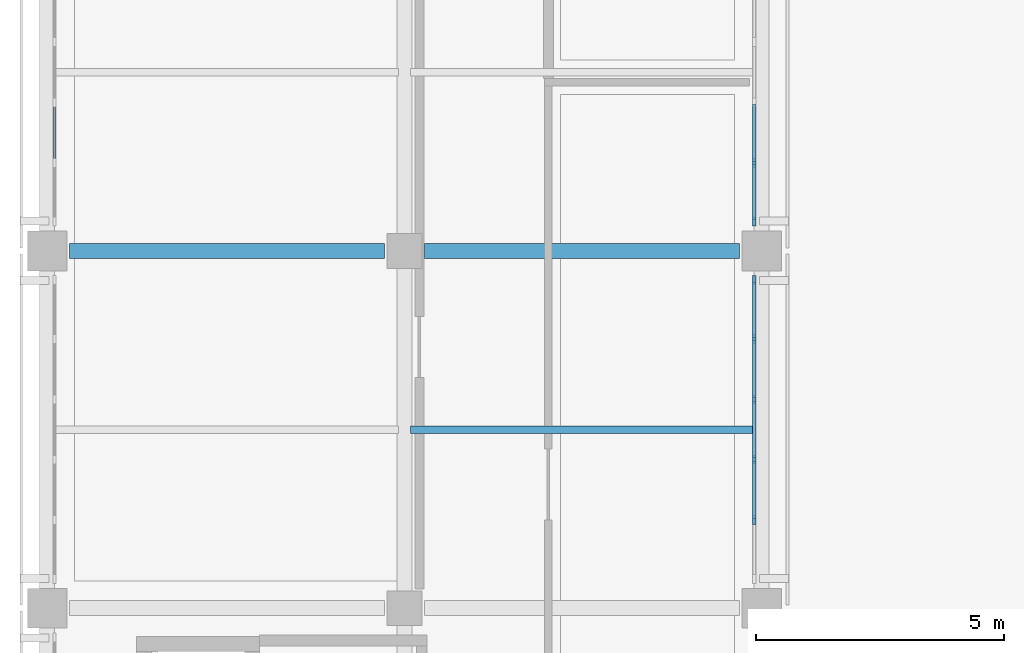
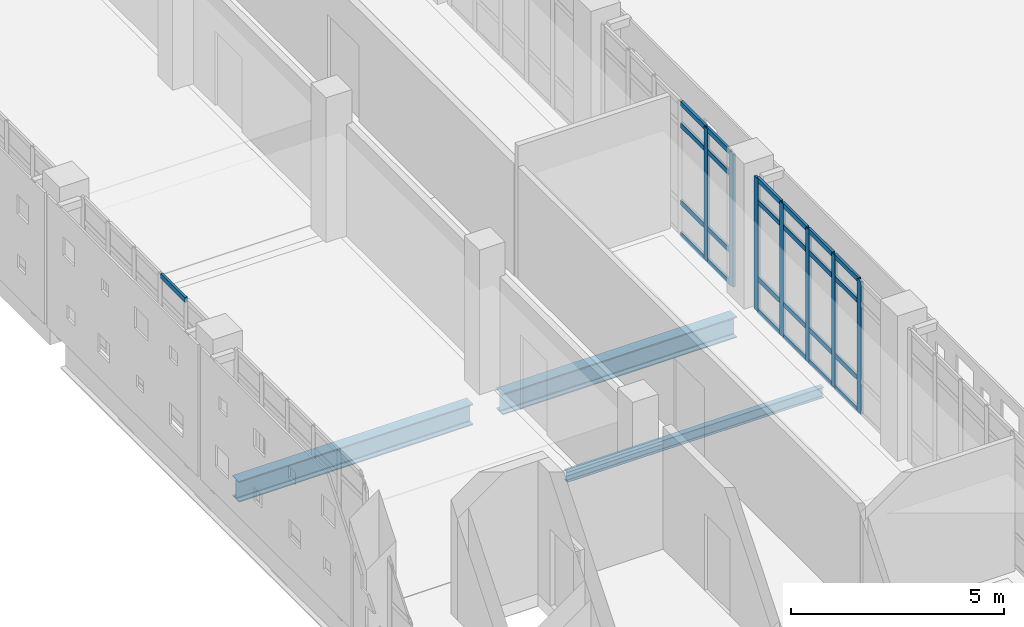
# One storey, part 5 of 51: 32 members, 3 beams, 3 elements without a shape of their own.
"""IFC4 building model written with IfcOpenShell, lengths in metres."""

from ifc_helpers import new_model, si_unit, direction, frame, origin, origin_2d, place, context, subcontext, project, spatial, rectangle, i_section, extrude, material, layer, layer_set, material_profile, profile_set, type_object, element, aggregate, save


model = new_model("IFC4")

# Units and contexts
model_context = context("Model", 3, precision=1e-05, world=origin(), true_north=direction((0.0, 1.0)))
body_context = subcontext(model_context, "Body", "Model", "MODEL_VIEW")
ifc_project = project(units=[si_unit("LENGTHUNIT", "METRE"), si_unit("AREAUNIT", "SQUARE_METRE"), si_unit("VOLUMEUNIT", "CUBIC_METRE"), si_unit("PLANEANGLEUNIT", "RADIAN"), si_unit("MASSUNIT", "GRAM", prefix="KILO")], contexts=[model_context])

# Site, building, storey
site_placement = place(None, origin())
site = spatial("IfcSite", under=ifc_project, at=site_placement, CompositionType="ELEMENT")
building_placement = place(site_placement, origin())
building = spatial("IfcBuilding", under=site, at=building_placement, Name="Valkovuoma Quantum and Materials Research Institute", CompositionType="ELEMENT")
storey_placement = place(building_placement, frame((0.0, 0.0, 17.280029296875)))
storey = spatial("IfcBuildingStorey", under=building, at=storey_placement, Name="L04", CompositionType="ELEMENT", Elevation=17.280029296875)

# Beams
ifc_material_1 = material(Name="Steel S355J2", Category="steel")
ifc_material_profile_1 = material_profile(ifc_material_1, i_section(OverallWidth=0.300048828125, OverallDepth=0.60009765625, WebThickness=0.015380859375, FlangeThickness=0.030029296875, FilletRadius=0.027099609375, at=origin_2d()), Name="Steel S355J2")
ifc_profile_set_1 = profile_set([ifc_material_profile_1], Name="Steel S355J2")
beam_type_1 = type_object("IfcBeamType", Name="Beam-B-HEB600", PredefinedType="BEAM", material=ifc_profile_set_1)
beam_1_placement = place(storey_placement, frame((0.449951171875, 50.39990234375, -0.650146484375), z_axis=(1.0, 0.0, 0.0), x_axis=(0.0, 1.0, 0.0)))
element("IfcBeam", 1, at=beam_1_placement, inside=storey, type_object=beam_type_1, Name="L04 beam X-1828", PredefinedType="BEAM", context=body_context, shape_type="SweptSolid", body=[
    extrude(i_section(OverallWidth=0.300048828125, OverallDepth=0.60009765625, WebThickness=0.015380859375, FlangeThickness=0.030029296875, FilletRadius=0.027099609375, at=origin_2d()), origin(), (0.0, 0.0, 1.0), 6.35009765625),
])
beam_2_placement = place(storey_placement, frame((7.60009765625, 50.39990234375, -0.650146484375), z_axis=(1.0, 0.0, 0.0), x_axis=(0.0, 1.0, 0.0)))
element("IfcBeam", 2, at=beam_2_placement, inside=storey, type_object=beam_type_1, Name="L04 beam X-1829", PredefinedType="BEAM", context=body_context, shape_type="SweptSolid", body=[
    extrude(i_section(OverallWidth=0.300048828125, OverallDepth=0.60009765625, WebThickness=0.015380859375, FlangeThickness=0.030029296875, FilletRadius=0.027099609375, at=origin_2d()), origin(), (0.0, 0.0, 1.0), 6.349853515625),
])
ifc_material_2 = material(Name="Steel S355J2", Category="steel")
ifc_material_profile_2 = material_profile(ifc_material_2, i_section(OverallWidth=0.14990234375, OverallDepth=0.300048828125, WebThickness=0.007080078125, FlangeThickness=0.0107421875, FilletRadius=0.014892578125, at=origin_2d()), Name="Steel S355J2")
ifc_profile_set_2 = profile_set([ifc_material_profile_2], Name="Steel S355J2")
beam_type_2 = type_object("IfcBeamType", Name="Beam-B-JST300", PredefinedType="JOIST", material=ifc_profile_set_2)
beam_3_placement = place(storey_placement, frame((7.320068359375, 46.800048828125, -0.5), z_axis=(1.0, 0.0, 0.0), x_axis=(0.0, 1.0, 0.0)))
element("IfcBeam", 3, at=beam_3_placement, inside=storey, type_object=beam_type_2, Name="L04 floor joist 2027", PredefinedType="JOIST", context=body_context, shape_type="SweptSolid", body=[
    extrude(i_section(OverallWidth=0.14990234375, OverallDepth=0.300048828125, WebThickness=0.007080078125, FlangeThickness=0.0107421875, FilletRadius=0.014892578125, at=origin_2d()), origin(), (0.0, 0.0, 1.0), 6.9599609375),
])

# Curtain wall, members
ifc_material_3 = material(Name="Thermally broken aluminium and triple low-E glazing", Category="aluminium")
ifc_layer = layer(ifc_material_3, 0.219970703125)
ifc_layer_set = layer_set([ifc_layer], Name="Thermally broken aluminium and triple low-E glazing")
curtain_wall_type = type_object("IfcCurtainWallType", Name="CW-CW-01", PredefinedType="NOTDEFINED", material=ifc_layer_set)
curtain_wall_1_placement = place(storey_placement, origin())
curtain_wall_1 = element("IfcCurtainWall", 4, at=curtain_wall_1_placement, inside=storey, type_object=curtain_wall_type, Name="L04 curtain wall 044", PredefinedType="NOTDEFINED")
ifc_material_4 = material(Name="Anodised aluminium 6060-T66", Category="aluminium")
ifc_material_profile_3 = material_profile(ifc_material_4, rectangle(XDim=0.06494140625, YDim=0.179931640625, at=origin_2d()), Name="Anodised aluminium 6060-T66")
ifc_profile_set_3 = profile_set([ifc_material_profile_3], Name="Anodised aluminium 6060-T66")
member_type_1 = type_object("IfcMemberType", Name="CWMull-CWM-01", PredefinedType="MULLION", material=ifc_profile_set_3)
member_1_placement = place(storey_placement, frame((14.25, 44.974365234375, 0.0), z_axis=(0.0, 0.0, 1.0), x_axis=(-1.0, 0.0, 0.0)))
member_1 = element("IfcMember", 5, at=member_1_placement, type_object=member_type_1, Name="CW-01 mullion 2", PredefinedType="MULLION", context=body_context, shape_type="SweptSolid", body=[
    extrude(rectangle(XDim=0.06494140625, YDim=0.179931640625, at=origin_2d()), origin(), (0.0, 0.0, 1.0), 3.81005859375),
])
member_2_placement = place(storey_placement, frame((14.25, 46.19140625, 0.0), z_axis=(0.0, 0.0, 1.0), x_axis=(-1.0, 0.0, 0.0)))
member_2 = element("IfcMember", 6, at=member_2_placement, type_object=member_type_1, Name="CW-01 mullion 3", PredefinedType="MULLION", context=body_context, shape_type="SweptSolid", body=[
    extrude(rectangle(XDim=0.06494140625, YDim=0.179931640625, at=origin_2d()), origin(), (0.0, 0.0, 1.0), 3.81005859375),
])
member_3_placement = place(storey_placement, frame((14.25, 47.40869140625, 0.0), z_axis=(0.0, 0.0, 1.0), x_axis=(-1.0, 0.0, 0.0)))
member_3 = element("IfcMember", 7, at=member_3_placement, type_object=member_type_1, Name="CW-01 mullion 4", PredefinedType="MULLION", context=body_context, shape_type="SweptSolid", body=[
    extrude(rectangle(XDim=0.06494140625, YDim=0.179931640625, at=origin_2d()), origin(), (0.0, 0.0, 1.0), 3.81005859375),
])
member_4_placement = place(storey_placement, frame((14.25, 48.625732421875, 0.0), z_axis=(0.0, 0.0, 1.0), x_axis=(-1.0, 0.0, 0.0)))
member_4 = element("IfcMember", 8, at=member_4_placement, type_object=member_type_1, Name="CW-01 mullion 5", PredefinedType="MULLION", context=body_context, shape_type="SweptSolid", body=[
    extrude(rectangle(XDim=0.06494140625, YDim=0.179931640625, at=origin_2d()), origin(), (0.0, 0.0, 1.0), 3.81005859375),
])
member_5_placement = place(storey_placement, frame((14.25, 49.810302734375, 0.0), z_axis=(0.0, 0.0, 1.0), x_axis=(-1.0, 0.0, 0.0)))
member_5 = element("IfcMember", 9, at=member_5_placement, type_object=member_type_1, Name="CW-01 mullion 6", PredefinedType="MULLION", context=body_context, shape_type="SweptSolid", body=[
    extrude(rectangle(XDim=0.06494140625, YDim=0.179931640625, at=origin_2d()), origin(), (0.0, 0.0, 1.0), 3.81005859375),
])

curtain_wall_2_placement = place(storey_placement, origin())
curtain_wall_2 = element("IfcCurtainWall", 10, at=curtain_wall_2_placement, inside=storey, type_object=curtain_wall_type, Name="L04 curtain wall 046", PredefinedType="NOTDEFINED")
member_6_placement = place(storey_placement, frame((14.25, 50.989501953125, 0.0), z_axis=(0.0, 0.0, 1.0), x_axis=(-1.0, 0.0, 0.0)))
member_6 = element("IfcMember", 11, at=member_6_placement, type_object=member_type_1, Name="CW-01 mullion 1", PredefinedType="MULLION", context=body_context, shape_type="SweptSolid", body=[
    extrude(rectangle(XDim=0.06494140625, YDim=0.179931640625, at=origin_2d()), origin(), (0.0, 0.0, 1.0), 3.81005859375),
])
member_7_placement = place(storey_placement, frame((14.25, 52.17431640625, 0.0), z_axis=(0.0, 0.0, 1.0), x_axis=(-1.0, 0.0, 0.0)))
member_7 = element("IfcMember", 12, at=member_7_placement, type_object=member_type_1, Name="CW-01 mullion 2", PredefinedType="MULLION", context=body_context, shape_type="SweptSolid", body=[
    extrude(rectangle(XDim=0.06494140625, YDim=0.179931640625, at=origin_2d()), origin(), (0.0, 0.0, 1.0), 3.81005859375),
])

# Member
ifc_material_5 = material(Name="Anodised aluminium 6060-T66", Category="aluminium")
ifc_material_profile_4 = material_profile(ifc_material_5, rectangle(XDim=0.06494140625, YDim=0.139892578125, at=origin_2d()), Name="Anodised aluminium 6060-T66")
ifc_profile_set_4 = profile_set([ifc_material_profile_4], Name="Anodised aluminium 6060-T66")
member_type_2 = type_object("IfcMemberType", Name="CWTran-CWT-01", PredefinedType="USERDEFINED", material=ifc_profile_set_4)
member_8_placement = place(storey_placement, frame((14.25, 45.0068359375, 0.032470703125), z_axis=(0.0, 1.0, 0.0), x_axis=(-1.0, 0.0, 0.0)))
member_8 = element("IfcMember", 13, at=member_8_placement, type_object=member_type_2, Name="CW-01 transom 2.1", ObjectType="TRANSOM", PredefinedType="USERDEFINED", context=body_context, shape_type="SweptSolid", body=[
    extrude(rectangle(XDim=0.06494140625, YDim=0.139892578125, at=origin_2d()), origin(), (0.0, 0.0, 1.0), 1.152099609375),
])

member_9_placement = place(storey_placement, frame((14.25, 45.0068359375, 0.949951171875), z_axis=(0.0, 1.0, 0.0), x_axis=(-1.0, 0.0, 0.0)))
member_9 = element("IfcMember", 14, at=member_9_placement, type_object=member_type_2, Name="CW-01 transom 2.2", ObjectType="TRANSOM", PredefinedType="USERDEFINED", context=body_context, shape_type="SweptSolid", body=[
    extrude(rectangle(XDim=0.06494140625, YDim=0.139892578125, at=origin_2d()), origin(), (0.0, 0.0, 1.0), 1.152099609375),
])

member_10_placement = place(storey_placement, frame((14.25, 45.0068359375, 3.159912109375), z_axis=(0.0, 1.0, 0.0), x_axis=(-1.0, 0.0, 0.0)))
member_10 = element("IfcMember", 15, at=member_10_placement, type_object=member_type_2, Name="CW-01 transom 2.3", ObjectType="TRANSOM", PredefinedType="USERDEFINED", context=body_context, shape_type="SweptSolid", body=[
    extrude(rectangle(XDim=0.06494140625, YDim=0.139892578125, at=origin_2d()), origin(), (0.0, 0.0, 1.0), 1.152099609375),
])

member_11_placement = place(storey_placement, frame((14.25, 45.0068359375, 3.777587890625), z_axis=(0.0, 1.0, 0.0), x_axis=(-1.0, 0.0, 0.0)))
member_11 = element("IfcMember", 16, at=member_11_placement, type_object=member_type_2, Name="CW-01 transom 2.4", ObjectType="TRANSOM", PredefinedType="USERDEFINED", context=body_context, shape_type="SweptSolid", body=[
    extrude(rectangle(XDim=0.06494140625, YDim=0.139892578125, at=origin_2d()), origin(), (0.0, 0.0, 1.0), 1.152099609375),
])

member_12_placement = place(storey_placement, frame((14.25, 46.223876953125, 0.032470703125), z_axis=(0.0, 1.0, 0.0), x_axis=(-1.0, 0.0, 0.0)))
member_12 = element("IfcMember", 17, at=member_12_placement, type_object=member_type_2, Name="CW-01 transom 3.1", ObjectType="TRANSOM", PredefinedType="USERDEFINED", context=body_context, shape_type="SweptSolid", body=[
    extrude(rectangle(XDim=0.06494140625, YDim=0.139892578125, at=origin_2d()), origin(), (0.0, 0.0, 1.0), 1.152099609375),
])

member_13_placement = place(storey_placement, frame((14.25, 46.223876953125, 0.949951171875), z_axis=(0.0, 1.0, 0.0), x_axis=(-1.0, 0.0, 0.0)))
member_13 = element("IfcMember", 18, at=member_13_placement, type_object=member_type_2, Name="CW-01 transom 3.2", ObjectType="TRANSOM", PredefinedType="USERDEFINED", context=body_context, shape_type="SweptSolid", body=[
    extrude(rectangle(XDim=0.06494140625, YDim=0.139892578125, at=origin_2d()), origin(), (0.0, 0.0, 1.0), 1.152099609375),
])

member_14_placement = place(storey_placement, frame((14.25, 46.223876953125, 3.159912109375), z_axis=(0.0, 1.0, 0.0), x_axis=(-1.0, 0.0, 0.0)))
member_14 = element("IfcMember", 19, at=member_14_placement, type_object=member_type_2, Name="CW-01 transom 3.3", ObjectType="TRANSOM", PredefinedType="USERDEFINED", context=body_context, shape_type="SweptSolid", body=[
    extrude(rectangle(XDim=0.06494140625, YDim=0.139892578125, at=origin_2d()), origin(), (0.0, 0.0, 1.0), 1.152099609375),
])

member_15_placement = place(storey_placement, frame((14.25, 46.223876953125, 3.777587890625), z_axis=(0.0, 1.0, 0.0), x_axis=(-1.0, 0.0, 0.0)))
member_15 = element("IfcMember", 20, at=member_15_placement, type_object=member_type_2, Name="CW-01 transom 3.4", ObjectType="TRANSOM", PredefinedType="USERDEFINED", context=body_context, shape_type="SweptSolid", body=[
    extrude(rectangle(XDim=0.06494140625, YDim=0.139892578125, at=origin_2d()), origin(), (0.0, 0.0, 1.0), 1.152099609375),
])

member_16_placement = place(storey_placement, frame((14.25, 47.441162109375, 0.032470703125), z_axis=(0.0, 1.0, 0.0), x_axis=(-1.0, 0.0, 0.0)))
member_16 = element("IfcMember", 21, at=member_16_placement, type_object=member_type_2, Name="CW-01 transom 4.1", ObjectType="TRANSOM", PredefinedType="USERDEFINED", context=body_context, shape_type="SweptSolid", body=[
    extrude(rectangle(XDim=0.06494140625, YDim=0.139892578125, at=origin_2d()), origin(), (0.0, 0.0, 1.0), 1.152099609375),
])

member_17_placement = place(storey_placement, frame((14.25, 47.441162109375, 0.949951171875), z_axis=(0.0, 1.0, 0.0), x_axis=(-1.0, 0.0, 0.0)))
member_17 = element("IfcMember", 22, at=member_17_placement, type_object=member_type_2, Name="CW-01 transom 4.2", ObjectType="TRANSOM", PredefinedType="USERDEFINED", context=body_context, shape_type="SweptSolid", body=[
    extrude(rectangle(XDim=0.06494140625, YDim=0.139892578125, at=origin_2d()), origin(), (0.0, 0.0, 1.0), 1.152099609375),
])

member_18_placement = place(storey_placement, frame((14.25, 47.441162109375, 3.159912109375), z_axis=(0.0, 1.0, 0.0), x_axis=(-1.0, 0.0, 0.0)))
member_18 = element("IfcMember", 23, at=member_18_placement, type_object=member_type_2, Name="CW-01 transom 4.3", ObjectType="TRANSOM", PredefinedType="USERDEFINED", context=body_context, shape_type="SweptSolid", body=[
    extrude(rectangle(XDim=0.06494140625, YDim=0.139892578125, at=origin_2d()), origin(), (0.0, 0.0, 1.0), 1.152099609375),
])

member_19_placement = place(storey_placement, frame((14.25, 47.441162109375, 3.777587890625), z_axis=(0.0, 1.0, 0.0), x_axis=(-1.0, 0.0, 0.0)))
member_19 = element("IfcMember", 24, at=member_19_placement, type_object=member_type_2, Name="CW-01 transom 4.4", ObjectType="TRANSOM", PredefinedType="USERDEFINED", context=body_context, shape_type="SweptSolid", body=[
    extrude(rectangle(XDim=0.06494140625, YDim=0.139892578125, at=origin_2d()), origin(), (0.0, 0.0, 1.0), 1.152099609375),
])

member_20_placement = place(storey_placement, frame((14.25, 48.658203125, 0.032470703125), z_axis=(0.0, 1.0, 0.0), x_axis=(-1.0, 0.0, 0.0)))
member_20 = element("IfcMember", 25, at=member_20_placement, type_object=member_type_2, Name="CW-01 transom 5.1", ObjectType="TRANSOM", PredefinedType="USERDEFINED", context=body_context, shape_type="SweptSolid", body=[
    extrude(rectangle(XDim=0.06494140625, YDim=0.139892578125, at=origin_2d()), origin(), (0.0, 0.0, 1.0), 1.11962890625),
])

member_21_placement = place(storey_placement, frame((14.25, 48.658203125, 0.949951171875), z_axis=(0.0, 1.0, 0.0), x_axis=(-1.0, 0.0, 0.0)))
member_21 = element("IfcMember", 26, at=member_21_placement, type_object=member_type_2, Name="CW-01 transom 5.2", ObjectType="TRANSOM", PredefinedType="USERDEFINED", context=body_context, shape_type="SweptSolid", body=[
    extrude(rectangle(XDim=0.06494140625, YDim=0.139892578125, at=origin_2d()), origin(), (0.0, 0.0, 1.0), 1.11962890625),
])

member_22_placement = place(storey_placement, frame((14.25, 48.658203125, 3.159912109375), z_axis=(0.0, 1.0, 0.0), x_axis=(-1.0, 0.0, 0.0)))
member_22 = element("IfcMember", 27, at=member_22_placement, type_object=member_type_2, Name="CW-01 transom 5.3", ObjectType="TRANSOM", PredefinedType="USERDEFINED", context=body_context, shape_type="SweptSolid", body=[
    extrude(rectangle(XDim=0.06494140625, YDim=0.139892578125, at=origin_2d()), origin(), (0.0, 0.0, 1.0), 1.11962890625),
])

member_23_placement = place(storey_placement, frame((14.25, 48.658203125, 3.777587890625), z_axis=(0.0, 1.0, 0.0), x_axis=(-1.0, 0.0, 0.0)))
member_23 = element("IfcMember", 28, at=member_23_placement, type_object=member_type_2, Name="CW-01 transom 5.4", ObjectType="TRANSOM", PredefinedType="USERDEFINED", context=body_context, shape_type="SweptSolid", body=[
    extrude(rectangle(XDim=0.06494140625, YDim=0.139892578125, at=origin_2d()), origin(), (0.0, 0.0, 1.0), 1.11962890625),
])

aggregate(curtain_wall_1, [member_1, member_2, member_3, member_4, member_5, member_8, member_9, member_10, member_11, member_12, member_13, member_14, member_15, member_16, member_17, member_18, member_19, member_20, member_21, member_22, member_23])

# Curtain wall, member
curtain_wall_3_placement = place(storey_placement, origin())
curtain_wall_3 = element("IfcCurtainWall", 29, at=curtain_wall_3_placement, inside=storey, type_object=curtain_wall_type, Name="L04 curtain wall 045", PredefinedType="NOTDEFINED")
member_24_placement = place(storey_placement, frame((0.14990234375, 52.206787109375, 3.777587890625), z_axis=(0.0, 1.0, 0.0), x_axis=(-1.0, 0.0, 0.0)))
member_24 = element("IfcMember", 30, at=member_24_placement, type_object=member_type_2, Name="CW-01 transom 2.4", ObjectType="TRANSOM", PredefinedType="USERDEFINED", context=body_context, shape_type="SweptSolid", body=[
    extrude(rectangle(XDim=0.06494140625, YDim=0.139892578125, at=origin_2d()), origin(), (0.0, 0.0, 1.0), 1.152099609375),
])
aggregate(curtain_wall_3, [member_24])

# Member
member_25_placement = place(storey_placement, frame((14.25, 51.022216796875, 0.032470703125), z_axis=(0.0, 1.0, 0.0), x_axis=(-1.0, 0.0, 0.0)))
member_25 = element("IfcMember", 31, at=member_25_placement, type_object=member_type_2, Name="CW-01 transom 1.1", ObjectType="TRANSOM", PredefinedType="USERDEFINED", context=body_context, shape_type="SweptSolid", body=[
    extrude(rectangle(XDim=0.06494140625, YDim=0.139892578125, at=origin_2d()), origin(), (0.0, 0.0, 1.0), 1.11962890625),
])

member_26_placement = place(storey_placement, frame((14.25, 51.022216796875, 0.949951171875), z_axis=(0.0, 1.0, 0.0), x_axis=(-1.0, 0.0, 0.0)))
member_26 = element("IfcMember", 32, at=member_26_placement, type_object=member_type_2, Name="CW-01 transom 1.2", ObjectType="TRANSOM", PredefinedType="USERDEFINED", context=body_context, shape_type="SweptSolid", body=[
    extrude(rectangle(XDim=0.06494140625, YDim=0.139892578125, at=origin_2d()), origin(), (0.0, 0.0, 1.0), 1.11962890625),
])

member_27_placement = place(storey_placement, frame((14.25, 51.022216796875, 3.159912109375), z_axis=(0.0, 1.0, 0.0), x_axis=(-1.0, 0.0, 0.0)))
member_27 = element("IfcMember", 33, at=member_27_placement, type_object=member_type_2, Name="CW-01 transom 1.3", ObjectType="TRANSOM", PredefinedType="USERDEFINED", context=body_context, shape_type="SweptSolid", body=[
    extrude(rectangle(XDim=0.06494140625, YDim=0.139892578125, at=origin_2d()), origin(), (0.0, 0.0, 1.0), 1.11962890625),
])

member_28_placement = place(storey_placement, frame((14.25, 51.022216796875, 3.777587890625), z_axis=(0.0, 1.0, 0.0), x_axis=(-1.0, 0.0, 0.0)))
member_28 = element("IfcMember", 34, at=member_28_placement, type_object=member_type_2, Name="CW-01 transom 1.4", ObjectType="TRANSOM", PredefinedType="USERDEFINED", context=body_context, shape_type="SweptSolid", body=[
    extrude(rectangle(XDim=0.06494140625, YDim=0.139892578125, at=origin_2d()), origin(), (0.0, 0.0, 1.0), 1.11962890625),
])

member_29_placement = place(storey_placement, frame((14.25, 52.206787109375, 0.032470703125), z_axis=(0.0, 1.0, 0.0), x_axis=(-1.0, 0.0, 0.0)))
member_29 = element("IfcMember", 35, at=member_29_placement, type_object=member_type_2, Name="CW-01 transom 2.1", ObjectType="TRANSOM", PredefinedType="USERDEFINED", context=body_context, shape_type="SweptSolid", body=[
    extrude(rectangle(XDim=0.06494140625, YDim=0.139892578125, at=origin_2d()), origin(), (0.0, 0.0, 1.0), 1.152099609375),
])

member_30_placement = place(storey_placement, frame((14.25, 52.206787109375, 0.949951171875), z_axis=(0.0, 1.0, 0.0), x_axis=(-1.0, 0.0, 0.0)))
member_30 = element("IfcMember", 36, at=member_30_placement, type_object=member_type_2, Name="CW-01 transom 2.2", ObjectType="TRANSOM", PredefinedType="USERDEFINED", context=body_context, shape_type="SweptSolid", body=[
    extrude(rectangle(XDim=0.06494140625, YDim=0.139892578125, at=origin_2d()), origin(), (0.0, 0.0, 1.0), 1.152099609375),
])

member_31_placement = place(storey_placement, frame((14.25, 52.206787109375, 3.159912109375), z_axis=(0.0, 1.0, 0.0), x_axis=(-1.0, 0.0, 0.0)))
member_31 = element("IfcMember", 37, at=member_31_placement, type_object=member_type_2, Name="CW-01 transom 2.3", ObjectType="TRANSOM", PredefinedType="USERDEFINED", context=body_context, shape_type="SweptSolid", body=[
    extrude(rectangle(XDim=0.06494140625, YDim=0.139892578125, at=origin_2d()), origin(), (0.0, 0.0, 1.0), 1.152099609375),
])

member_32_placement = place(storey_placement, frame((14.25, 52.206787109375, 3.777587890625), z_axis=(0.0, 1.0, 0.0), x_axis=(-1.0, 0.0, 0.0)))
member_32 = element("IfcMember", 38, at=member_32_placement, type_object=member_type_2, Name="CW-01 transom 2.4", ObjectType="TRANSOM", PredefinedType="USERDEFINED", context=body_context, shape_type="SweptSolid", body=[
    extrude(rectangle(XDim=0.06494140625, YDim=0.139892578125, at=origin_2d()), origin(), (0.0, 0.0, 1.0), 1.152099609375),
])

aggregate(curtain_wall_2, [member_6, member_7, member_25, member_26, member_27, member_28, member_29, member_30, member_31, member_32])

save(model, "model.ifc")
